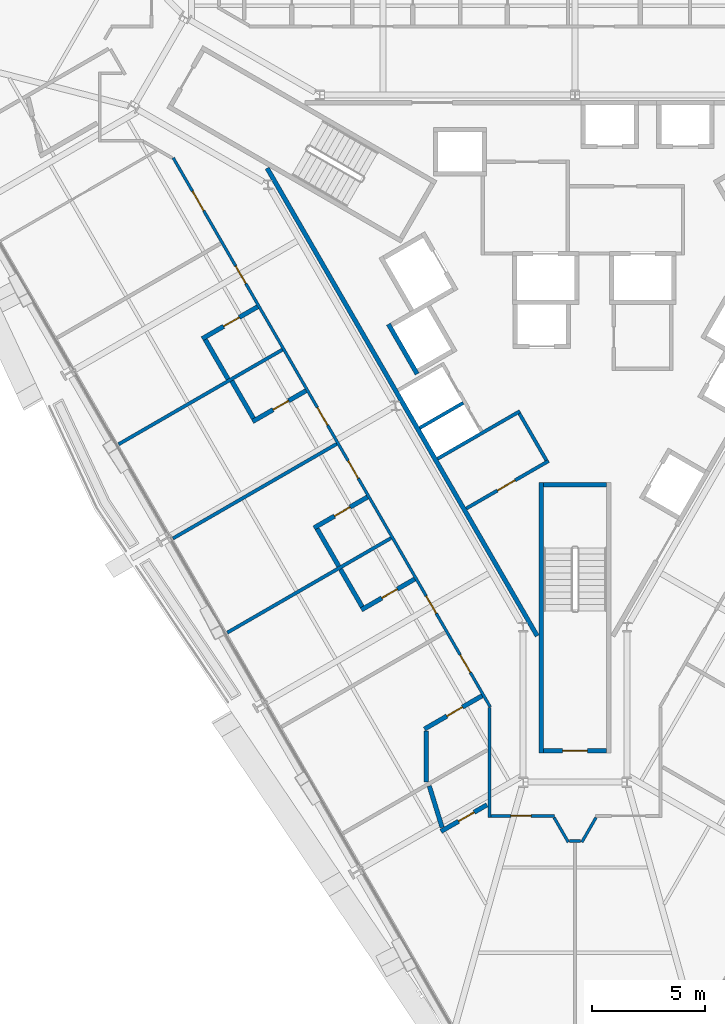
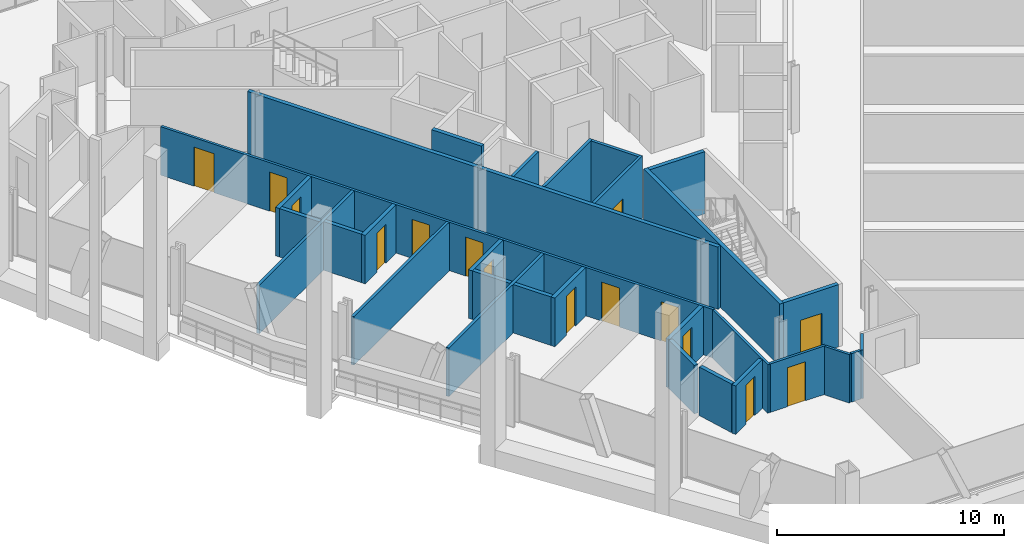
# One storey, part 11 of 18: 30 walls, 15 doors, 15 openings.
"""IFC4 building model written with IfcOpenShell, lengths in metres."""

import ifcopenshell
import ifcopenshell.guid

model = None  # the IFC model being written
_history = None  # IfcOwnerHistory: only IFC2X3 demands one
_inside = {}  # id of a spatial element -> (the spatial element, [elements in it])
_under = {}  # id of a project, library or spatial element -> (it, [spatial elements below it])
_declared = {}  # id of a project -> (the project, [libraries it declares])
_typed = {}  # id of a type object -> (the type object, [elements of that type])
_made_of = {}  # id of a material, layer set ... -> (it, [elements and type objects made of it])


def new_model(schema):
    """Start an empty IFC model of exactly this schema.

    Asked for "IFC4X3", IfcOpenShell would pick the latest addendum, in which some entities
    have other attributes; the version numbers below select the first issue.
    IFC2X3 requires an IfcOwnerHistory on every rooted entity: one is made here for all.
    """
    global model, _history
    if schema == "IFC4X3":
        model = ifcopenshell.file(schema_version=(4, 3, 0, 0))
    else:
        model = ifcopenshell.file(schema=schema)
    _inside.clear()
    _under.clear()
    _declared.clear()
    _typed.clear()
    _made_of.clear()
    _history = None
    if model.schema == "IFC2X3":
        org = make("IfcOrganization", Name="unknown")
        user = make(
            "IfcPersonAndOrganization",
            ThePerson=make("IfcPerson", FamilyName="unknown"),
            TheOrganization=org,
        )
        app = make(
            "IfcApplication",
            ApplicationDeveloper=org,
            Version="unknown",
            ApplicationFullName="unknown",
            ApplicationIdentifier="unknown",
        )
        _history = make(
            "IfcOwnerHistory",
            OwningUser=user,
            OwningApplication=app,
            ChangeAction="ADDED",
            CreationDate=0,
        )
    return model


def make(cls, **values):
    """One entity of the class cls with the attributes given. An attribute that is None is left unset."""
    return model.create_entity(
        cls, **{name: value for name, value in values.items() if value is not None}
    )


def rooted(cls, **values):
    """An entity with a GlobalId (a new one), such as an element, a storey or a relation."""
    return make(cls, GlobalId=ifcopenshell.guid.new(), OwnerHistory=_history, **values)


def si_unit(unit_type, name, prefix=None):
    """IfcSIUnit, for example si_unit("LENGTHUNIT", "METRE", prefix="MILLI")."""
    return make("IfcSIUnit", UnitType=unit_type, Prefix=prefix, Name=name)


def assignment(units):
    """IfcUnitAssignment: the units of a project."""
    return None if units is None else make("IfcUnitAssignment", Units=units)


def point(xyz):
    """IfcCartesianPoint."""
    return None if xyz is None else make("IfcCartesianPoint", Coordinates=xyz)


def direction(xyz):
    """IfcDirection."""
    return None if xyz is None else make("IfcDirection", DirectionRatios=xyz)


def frame(location, z_axis=None, x_axis=None):
    """IfcAxis2Placement3D, a coordinate frame: its origin and axes. An axis left out is left unset."""
    return make(
        "IfcAxis2Placement3D",
        Location=point(location),
        Axis=direction(z_axis),
        RefDirection=direction(x_axis),
    )


def frame_2d(location, x_axis=None):
    """IfcAxis2Placement2D, a coordinate frame in the plane: its origin and x axis."""
    return make(
        "IfcAxis2Placement2D", Location=point(location), RefDirection=direction(x_axis)
    )


def origin():
    """The frame at (0, 0, 0) with its axes left unset."""
    return frame((0.0, 0.0, 0.0))


def place(relative_to, where):
    """IfcLocalPlacement: puts the frame where relative to a parent placement (None: the world)."""
    return make(
        "IfcLocalPlacement", PlacementRelTo=relative_to, RelativePlacement=where
    )


def context(
    kind, dimensions, precision=None, world=None, true_north=None, identifier=None
):
    """IfcGeometricRepresentationContext, for example the 3D "Model" context."""
    return make(
        "IfcGeometricRepresentationContext",
        ContextIdentifier=identifier,
        ContextType=kind,
        CoordinateSpaceDimension=dimensions,
        Precision=precision,
        WorldCoordinateSystem=world,
        TrueNorth=true_north,
    )


def subcontext(parent, identifier, kind, view, scale=None):
    """IfcGeometricRepresentationSubContext, for example "Body" below "Model"."""
    return make(
        "IfcGeometricRepresentationSubContext",
        ContextIdentifier=identifier,
        ContextType=kind,
        ParentContext=parent,
        TargetScale=scale,
        TargetView=view,
    )


def project(units=None, contexts=None):
    """IfcProject with its units and contexts."""
    return rooted(
        "IfcProject",
        Name="project",
        RepresentationContexts=contexts,
        UnitsInContext=assignment(units),
    )


def spatial(cls, under=None, at=None, **own):
    """A site, building, storey or space (cls), placed at a placement, below another one or the project."""
    s = rooted(cls, ObjectPlacement=at, **own)
    if under is not None:
        _under.setdefault(under.id(), (under, []))[1].append(s)
    return s


def profile(cls, at=None, kind="AREA", **sizes):
    """A parametric profile (cls). Its sizes go by their IFC names, for example OverallWidth=200.0."""
    return make(cls, ProfileType=kind, Position=at, **sizes)


def rectangle(**sizes):
    """IfcRectangleProfileDef."""
    return profile("IfcRectangleProfileDef", **sizes)


def extrude(swept, where, along, depth):
    """IfcExtrudedAreaSolid: the profile swept, set in the frame where, extruded along a direction by depth."""
    return make(
        "IfcExtrudedAreaSolid",
        SweptArea=swept,
        Position=where,
        ExtrudedDirection=direction(along),
        Depth=depth,
    )


def shape(context_of_items, identifier, shape_type, items):
    """IfcShapeRepresentation: the items that make up one representation, for example the "Body"."""
    return make(
        "IfcShapeRepresentation",
        ContextOfItems=context_of_items,
        RepresentationIdentifier=identifier,
        RepresentationType=shape_type,
        Items=items,
    )


def material(Name=None, Category=None):
    """IfcMaterial."""
    return make("IfcMaterial", Name=Name, Category=Category)


def layer(
    of_material, thickness, ventilated=None, Name=None, Category=None, Priority=None
):
    """IfcMaterialLayer: one layer of a wall or slab, of a material (None: an air gap)."""
    return make(
        "IfcMaterialLayer",
        Material=of_material,
        LayerThickness=thickness,
        IsVentilated=ventilated,
        Name=Name,
        Category=Category,
        Priority=Priority,
    )


def layer_set(layers, Name=None):
    """IfcMaterialLayerSet."""
    return make("IfcMaterialLayerSet", MaterialLayers=layers, LayerSetName=Name)


def made_of(thing, what):
    """Note that an element or type object is made of a material, layer set ...; save() writes the relation."""
    if what is not None:
        _made_of.setdefault(what.id(), (what, []))[1].append(thing)
    return thing


def type_object(cls, material=None, **own):
    """A type object (cls), such as IfcWallType, which elements share."""
    return made_of(rooted(cls, **own), material)


def element(
    cls,
    number,
    at=None,
    inside=None,
    cuts=None,
    type_object=None,
    material=None,
    context=None,
    identifier="Body",
    shape_type=None,
    held_by="IfcProductDefinitionShape",
    body=None,
    shapes=None,
    **own,
):
    """One element of the class cls, such as IfcWall. Its Tag is "e" and its number.

    at: its placement. inside: the storey or other place that contains it. cuts: it is an
    opening in that element (IfcRelVoidsElement). A single representation is given by context,
    identifier, shape_type and body (its items); several are given by shapes. held_by: the class
    of the entity that holds the representations. save() writes the other relations.
    """
    e = rooted(cls, Tag="e%d" % number, ObjectPlacement=at, **own)
    if body is not None:
        shapes = [shape(context, identifier, shape_type, body)]
    if shapes is not None:
        e.Representation = make(held_by, Representations=shapes)
    if inside is not None:
        _inside.setdefault(inside.id(), (inside, []))[1].append(e)
    if cuts is not None:
        rooted(
            "IfcRelVoidsElement", RelatingBuildingElement=cuts, RelatedOpeningElement=e
        )
    if type_object is not None:
        _typed.setdefault(type_object.id(), (type_object, []))[1].append(e)
    return made_of(e, material)


def fill(opening, filler):
    """IfcRelFillsElement: the door or window that sits in an opening."""
    return rooted(
        "IfcRelFillsElement",
        RelatingOpeningElement=opening,
        RelatedBuildingElement=filler,
    )


def aggregate(whole, parts):
    """IfcRelAggregates: a whole, such as a stair, and the parts it consists of."""
    return rooted("IfcRelAggregates", RelatingObject=whole, RelatedObjects=parts)


def save(model, path):
    """Write the relations noted so far, then the file.

    IfcRelAggregates (storeys below a building ...), IfcRelContainedInSpatialStructure (elements
    in a storey), IfcRelDefinesByType, IfcRelAssociatesMaterial and IfcRelDeclares: one each for
    every whole, place, type object, material and project.
    """
    for whole, parts in _under.values():
        aggregate(whole, parts)
    for where, things in _inside.values():
        rooted(
            "IfcRelContainedInSpatialStructure",
            RelatedElements=things,
            RelatingStructure=where,
        )
    for kind, things in _typed.values():
        rooted("IfcRelDefinesByType", RelatedObjects=things, RelatingType=kind)
    for what, things in _made_of.values():
        rooted("IfcRelAssociatesMaterial", RelatedObjects=things, RelatingMaterial=what)
    for by, libraries in _declared.values():
        rooted("IfcRelDeclares", RelatingContext=by, RelatedDefinitions=libraries)
    model.write(path)


model = new_model("IFC4")

# Units and contexts
model_context = context("Model", 3, precision=1e-05, world=origin(), true_north=direction((0.0, 1.0)))
body_context = subcontext(model_context, "Body", "Model", "MODEL_VIEW")
ifc_project = project(units=[si_unit("LENGTHUNIT", "METRE"), si_unit("AREAUNIT", "SQUARE_METRE"), si_unit("VOLUMEUNIT", "CUBIC_METRE"), si_unit("PLANEANGLEUNIT", "RADIAN"), si_unit("MASSUNIT", "GRAM", prefix="KILO")], contexts=[model_context])

# Site, building, storey
site_placement = place(None, origin())
site = spatial("IfcSite", under=ifc_project, at=site_placement, CompositionType="ELEMENT")
building_placement = place(site_placement, origin())
building = spatial("IfcBuilding", under=site, at=building_placement, Name="Verrane Prism Tower", CompositionType="ELEMENT")
storey_placement = place(building_placement, frame((0.0, 0.0, 47.60009765625)))
storey = spatial("IfcBuildingStorey", under=building, at=storey_placement, Name="L09", CompositionType="ELEMENT", Elevation=47.60009765625)

# Wall
ifc_material_1 = material(Name="Gypsum board partition", Category="other")
ifc_layer_1 = layer(ifc_material_1, 0.199951171875)
ifc_layer_set_1 = layer_set([ifc_layer_1], Name="CW-200 core boundary wall 2 h")
wall_type_1 = type_object("IfcWallType", Name="CW-200 core boundary wall 2 h", PredefinedType="PARTITIONING", material=ifc_layer_set_1)
wall_1_placement = place(storey_placement, frame((-13.66357421875, 5.946044921875, 0.0), z_axis=(0.0, 0.0, 1.0), x_axis=(0.499994327219, -0.866028678941, 0.0)))
element("IfcWall", 1, at=wall_1_placement, inside=storey, type_object=wall_type_1, Name="Core boundary wall CW3-001", PredefinedType="PARTITIONING", context=body_context, shape_type="SweptSolid", body=[
    extrude(rectangle(XDim=23.967529296875, YDim=0.199951171875, at=frame_2d((11.98388671875, 0.0))), origin(), (0.0, 0.0, 1.0), 3.349853515625),
])

# Wall, opening, door
ifc_material_2 = material(Name="Concrete C40/50", Category="concrete")
ifc_layer_2 = layer(ifc_material_2, 0.199951171875)
ifc_layer_set_2 = layer_set([ifc_layer_2], Name="CW-200 stair core wall concrete C40/50 3 h")
wall_type_2 = type_object("IfcWallType", Name="CW-200 stair core wall concrete C40/50 3 h", PredefinedType="PARTITIONING", material=ifc_layer_set_2)
wall_2_placement = place(storey_placement, frame((-1.39990234375, -19.89990234375, 0.0), z_axis=(0.0, 0.0, 1.0), x_axis=(1.0, 0.0, 0.0)))
wall_2 = element("IfcWall", 2, at=wall_2_placement, inside=storey, type_object=wall_type_2, Name="Stair 3 enclosure wall", PredefinedType="PARTITIONING", context=body_context, shape_type="SweptSolid", body=[
    extrude(rectangle(XDim=2.7998046875, YDim=0.199951171875, at=frame_2d((1.39990234375, 0.0))), origin(), (0.0, 0.0, 1.0), 3.349853515625),
])
opening_1_placement = place(wall_2_placement, frame((0.85009765625, 0.0, 0.0)))
opening_1 = element("IfcOpeningElement", 3, at=opening_1_placement, cuts=wall_2, Name="Opening D09502", PredefinedType="OPENING", context=body_context, shape_type="SweptSolid", body=[
    extrude(rectangle(XDim=1.10009765625, YDim=2.10009765625, at=frame_2d((0.550048828125, 1.050048828125))), frame((0.0, 0.10986328125, 0.0), z_axis=(0.0, -1.0, 0.0), x_axis=(1.0, 0.0, 0.0)), (0.0, 0.0, 1.0), 0.219970703125),
])
ifc_material_3 = material(Name="Timber veneered door leaf", Category="wood")
door_type_1 = type_object("IfcDoorType", Name="DR-1100x2100 FD90 single leaf stair", OperationType="NOTDEFINED", PredefinedType="DOOR", material=ifc_material_3)
door_1_placement = place(opening_1_placement, origin())
door_1 = element("IfcDoor", 4, at=door_1_placement, inside=storey, type_object=door_type_1, Name="Stair 3 door", OperationType="SINGLE_SWING_LEFT", OverallHeight=2.10009765625, OverallWidth=1.10009765625, PredefinedType="DOOR", context=body_context, shape_type="SweptSolid", body=[
    extrude(rectangle(XDim=1.10009765625, YDim=2.10009765625, at=frame_2d((0.550048828125, 1.050048828125))), frame((0.0, 0.02490234375, 0.0), z_axis=(0.0, -1.0, 0.0), x_axis=(1.0, 0.0, 0.0)), (0.0, 0.0, 1.0), 0.050048828125),
])
fill(opening_1, door_1)

# Walls
wall_3_placement = place(storey_placement, frame((-1.5, -8.0, 0.0), z_axis=(0.0, 0.0, 1.0), x_axis=(0.0, -1.0, 0.0)))
element("IfcWall", 5, at=wall_3_placement, inside=storey, type_object=wall_type_2, Name="Stair 3 enclosure wall", PredefinedType="PARTITIONING", context=body_context, shape_type="SweptSolid", body=[
    extrude(rectangle(XDim=12.0, YDim=0.199951171875, at=frame_2d((6.0, 0.0))), origin(), (0.0, 0.0, 1.0), 3.349853515625),
])
wall_4_placement = place(storey_placement, frame((-1.39990234375, -8.10009765625, 0.0), z_axis=(0.0, 0.0, 1.0), x_axis=(1.0, 0.0, 0.0)))
element("IfcWall", 6, at=wall_4_placement, inside=storey, type_object=wall_type_2, Name="Stair 3 enclosure wall", PredefinedType="PARTITIONING", context=body_context, shape_type="SweptSolid", body=[
    extrude(rectangle(XDim=2.7998046875, YDim=0.199951171875, at=frame_2d((1.39990234375, 0.0))), origin(), (0.0, 0.0, 1.0), 3.349853515625),
])
ifc_material_4 = material(Name="Gypsum board shaft wall assembly", Category="other")
ifc_layer_3 = layer(ifc_material_4, 0.199951171875)
ifc_layer_set_3 = layer_set([ifc_layer_3], Name="HW-200 lift shaft wall 2 h")
wall_type_3 = type_object("IfcWallType", Name="HW-200 lift shaft wall 2 h", PredefinedType="PARTITIONING", material=ifc_layer_set_3)
wall_5_placement = place(storey_placement, frame((-7.00634765625, -3.184814453125, 0.0), z_axis=(0.0, 0.0, 1.0), x_axis=(-0.499990435942, 0.866030925526, 0.0)))
element("IfcWall", 7, at=wall_5_placement, inside=storey, type_object=wall_type_3, Name="Lift shaft wall", PredefinedType="PARTITIONING", context=body_context, shape_type="SweptSolid", body=[
    extrude(rectangle(XDim=2.5498046875, YDim=0.199951171875, at=frame_2d((1.27490234375, 0.0))), origin(), (0.0, 0.0, 1.0), 3.599853515625),
])

# Wall, openings, doors
ifc_material_5 = material(Name="Gypsum board partition", Category="other")
ifc_layer_4 = layer(ifc_material_5, 0.125)
ifc_layer_set_4 = layer_set([ifc_layer_4], Name="PW-125 corridor wall 1 h")
wall_type_4 = type_object("IfcWallType", Name="PW-125 corridor wall 1 h", PredefinedType="PARTITIONING", material=ifc_layer_set_4)
wall_6_placement = place(storey_placement, frame((-3.765869140625, -17.959228515625, 0.0), z_axis=(0.0, 0.0, 1.0), x_axis=(-0.500002884005, 0.866023738697, 0.0)))
wall_6 = element("IfcWall", 8, at=wall_6_placement, inside=storey, type_object=wall_type_4, Name="Corridor wall 016", PredefinedType="PARTITIONING", context=body_context, shape_type="SweptSolid", body=[
    extrude(rectangle(XDim=28.134521484375, YDim=0.125, at=frame_2d((14.0673828125, 0.0))), origin(), (0.0, 0.0, 1.0), 2.61279296875),
])
opening_2_placement = place(wall_6_placement, frame((25.422119140625, 0.0, 0.0)))
opening_2 = element("IfcOpeningElement", 9, at=opening_2_placement, cuts=wall_6, Name="Opening D09026", PredefinedType="OPENING", context=body_context, shape_type="SweptSolid", body=[
    extrude(rectangle(XDim=1.0, YDim=2.10009765625, at=frame_2d((0.5, 1.050048828125))), frame((0.0, 0.072509765625, 0.0), z_axis=(0.0, -1.0, 0.0), x_axis=(1.0, 0.0, 0.0)), (0.0, 0.0, 1.0), 0.14501953125),
])
opening_3_placement = place(wall_6_placement, frame((21.693115234375, 0.0, 0.0)))
opening_3 = element("IfcOpeningElement", 10, at=opening_3_placement, cuts=wall_6, Name="Opening D09029", PredefinedType="OPENING", context=body_context, shape_type="SweptSolid", body=[
    extrude(rectangle(XDim=0.89990234375, YDim=2.10009765625, at=frame_2d((0.449951171875, 1.050048828125))), frame((0.0, 0.072509765625, 0.0), z_axis=(0.0, -1.0, 0.0), x_axis=(1.0, 0.0, 0.0)), (0.0, 0.0, 1.0), 0.14501953125),
])
opening_4_placement = place(wall_6_placement, frame((14.438232421875, 0.0, 0.0)))
opening_4 = element("IfcOpeningElement", 11, at=opening_4_placement, cuts=wall_6, Name="Opening D09031", PredefinedType="OPENING", context=body_context, shape_type="SweptSolid", body=[
    extrude(rectangle(XDim=0.89990234375, YDim=2.10009765625, at=frame_2d((0.449951171875, 1.050048828125))), frame((0.0, 0.072509765625, 0.0), z_axis=(0.0, -1.0, 0.0), x_axis=(1.0, 0.0, 0.0)), (0.0, 0.0, 1.0), 0.14501953125),
])
opening_5_placement = place(wall_6_placement, frame((11.712158203125, 0.0, 0.0)))
opening_5 = element("IfcOpeningElement", 12, at=opening_5_placement, cuts=wall_6, Name="Opening D09033", PredefinedType="OPENING", context=body_context, shape_type="SweptSolid", body=[
    extrude(rectangle(XDim=0.89990234375, YDim=2.10009765625, at=frame_2d((0.449951171875, 1.050048828125))), frame((0.0, 0.072509765625, 0.0), z_axis=(0.0, -1.0, 0.0), x_axis=(1.0, 0.0, 0.0)), (0.0, 0.0, 1.0), 0.14501953125),
])
opening_6_placement = place(wall_6_placement, frame((4.787109375, 0.0, 0.0)))
opening_6 = element("IfcOpeningElement", 13, at=opening_6_placement, cuts=wall_6, Name="Opening D09035", PredefinedType="OPENING", context=body_context, shape_type="SweptSolid", body=[
    extrude(rectangle(XDim=0.89990234375, YDim=2.10009765625, at=frame_2d((0.449951171875, 1.050048828125))), frame((0.0, 0.072509765625, 0.0), z_axis=(0.0, -1.0, 0.0), x_axis=(1.0, 0.0, 0.0)), (0.0, 0.0, 1.0), 0.14501953125),
])
opening_7_placement = place(wall_6_placement, frame((1.76220703125, 0.0, 0.0)))
opening_7 = element("IfcOpeningElement", 14, at=opening_7_placement, cuts=wall_6, Name="Opening D09037", PredefinedType="OPENING", context=body_context, shape_type="SweptSolid", body=[
    extrude(rectangle(XDim=0.89990234375, YDim=2.10009765625, at=frame_2d((0.449951171875, 1.050048828125))), frame((0.0, 0.072509765625, 0.0), z_axis=(0.0, -1.0, 0.0), x_axis=(1.0, 0.0, 0.0)), (0.0, 0.0, 1.0), 0.14501953125),
])
ifc_material_6 = material(Name="Timber veneered door leaf", Category="wood")
door_type_2 = type_object("IfcDoorType", Name="DR-1000x2100 FD20 single leaf unit", OperationType="NOTDEFINED", PredefinedType="DOOR", material=ifc_material_6)
door_2_placement = place(opening_2_placement, origin())
door_2 = element("IfcDoor", 15, at=door_2_placement, inside=storey, type_object=door_type_2, Name="Suite Living Room door", OperationType="SINGLE_SWING_LEFT", OverallHeight=2.10009765625, OverallWidth=1.0, PredefinedType="DOOR", context=body_context, shape_type="SweptSolid", body=[
    extrude(rectangle(XDim=1.0, YDim=2.10009765625, at=frame_2d((0.5, 1.050048828125))), frame((0.0, 0.02490234375, 0.0), z_axis=(0.0, -1.0, 0.0), x_axis=(1.0, 0.0, 0.0)), (0.0, 0.0, 1.0), 0.050048828125),
])
fill(opening_2, door_2)
ifc_material_7 = material(Name="Timber veneered door leaf", Category="wood")
door_type_3 = type_object("IfcDoorType", Name="DR-900x2100 FD20 single leaf unit", OperationType="NOTDEFINED", PredefinedType="DOOR", material=ifc_material_7)
door_3_placement = place(opening_3_placement, origin())
door_3 = element("IfcDoor", 16, at=door_3_placement, inside=storey, type_object=door_type_3, Name="Guest Room door", OperationType="SINGLE_SWING_RIGHT", OverallHeight=2.10009765625, OverallWidth=0.89990234375, PredefinedType="DOOR", context=body_context, shape_type="SweptSolid", body=[
    extrude(rectangle(XDim=0.89990234375, YDim=2.10009765625, at=frame_2d((0.449951171875, 1.050048828125))), frame((0.0, 0.02490234375, 0.0), z_axis=(0.0, -1.0, 0.0), x_axis=(1.0, 0.0, 0.0)), (0.0, 0.0, 1.0), 0.050048828125),
])
fill(opening_3, door_3)
door_4_placement = place(opening_4_placement, origin())
door_4 = element("IfcDoor", 17, at=door_4_placement, inside=storey, type_object=door_type_3, Name="Guest Room door", OperationType="SINGLE_SWING_RIGHT", OverallHeight=2.10009765625, OverallWidth=0.89990234375, PredefinedType="DOOR", context=body_context, shape_type="SweptSolid", body=[
    extrude(rectangle(XDim=0.89990234375, YDim=2.10009765625, at=frame_2d((0.449951171875, 1.050048828125))), frame((0.0, 0.02490234375, 0.0), z_axis=(0.0, -1.0, 0.0), x_axis=(1.0, 0.0, 0.0)), (0.0, 0.0, 1.0), 0.050048828125),
])
fill(opening_4, door_4)
door_5_placement = place(opening_5_placement, origin())
door_5 = element("IfcDoor", 18, at=door_5_placement, inside=storey, type_object=door_type_3, Name="Guest Room door", OperationType="SINGLE_SWING_RIGHT", OverallHeight=2.10009765625, OverallWidth=0.89990234375, PredefinedType="DOOR", context=body_context, shape_type="SweptSolid", body=[
    extrude(rectangle(XDim=0.89990234375, YDim=2.10009765625, at=frame_2d((0.449951171875, 1.050048828125))), frame((0.0, 0.02490234375, 0.0), z_axis=(0.0, -1.0, 0.0), x_axis=(1.0, 0.0, 0.0)), (0.0, 0.0, 1.0), 0.050048828125),
])
fill(opening_5, door_5)
door_6_placement = place(opening_6_placement, origin())
door_6 = element("IfcDoor", 19, at=door_6_placement, inside=storey, type_object=door_type_3, Name="Guest Room door", OperationType="SINGLE_SWING_RIGHT", OverallHeight=2.10009765625, OverallWidth=0.89990234375, PredefinedType="DOOR", context=body_context, shape_type="SweptSolid", body=[
    extrude(rectangle(XDim=0.89990234375, YDim=2.10009765625, at=frame_2d((0.449951171875, 1.050048828125))), frame((0.0, 0.02490234375, 0.0), z_axis=(0.0, -1.0, 0.0), x_axis=(1.0, 0.0, 0.0)), (0.0, 0.0, 1.0), 0.050048828125),
])
fill(opening_6, door_6)
door_7_placement = place(opening_7_placement, origin())
door_7 = element("IfcDoor", 20, at=door_7_placement, inside=storey, type_object=door_type_3, Name="Guest Room door", OperationType="SINGLE_SWING_RIGHT", OverallHeight=2.10009765625, OverallWidth=0.89990234375, PredefinedType="DOOR", context=body_context, shape_type="SweptSolid", body=[
    extrude(rectangle(XDim=0.89990234375, YDim=2.10009765625, at=frame_2d((0.449951171875, 1.050048828125))), frame((0.0, 0.02490234375, 0.0), z_axis=(0.0, -1.0, 0.0), x_axis=(1.0, 0.0, 0.0)), (0.0, 0.0, 1.0), 0.050048828125),
])
fill(opening_7, door_7)

# Wall
wall_7_placement = place(storey_placement, frame((-3.797119140625, -22.859619140625, 0.0), z_axis=(0.0, 0.0, 1.0), x_axis=(0.0, 1.0, 0.0)))
element("IfcWall", 21, at=wall_7_placement, inside=storey, type_object=wall_type_4, Name="Corridor wall 046", PredefinedType="PARTITIONING", context=body_context, shape_type="SweptSolid", body=[
    extrude(rectangle(XDim=4.86962890625, YDim=0.125, at=frame_2d((2.434814453125, 0.0))), origin(), (0.0, 0.0, 1.0), 2.61279296875),
])

# Wall, opening, door
wall_8_placement = place(storey_placement, frame((-0.910400390625, -22.797119140625, 0.0), z_axis=(0.0, 0.0, 1.0), x_axis=(-1.0, 0.0, 0.0)))
wall_8 = element("IfcWall", 22, at=wall_8_placement, inside=storey, type_object=wall_type_4, Name="Corridor wall 047", PredefinedType="PARTITIONING", context=body_context, shape_type="SweptSolid", body=[
    extrude(rectangle(XDim=2.821533203125, YDim=0.125, at=frame_2d((1.41064453125, 0.0))), origin(), (0.0, 0.0, 1.0), 2.61279296875),
])
opening_8_placement = place(wall_8_placement, frame((1.03662109375, 0.0, 0.0)))
opening_8 = element("IfcOpeningElement", 23, at=opening_8_placement, cuts=wall_8, Name="Opening D09039", PredefinedType="OPENING", context=body_context, shape_type="SweptSolid", body=[
    extrude(rectangle(XDim=0.89990234375, YDim=2.10009765625, at=frame_2d((0.449951171875, 1.050048828125))), frame((0.0, 0.072509765625, 0.0), z_axis=(0.0, -1.0, 0.0), x_axis=(1.0, 0.0, 0.0)), (0.0, 0.0, 1.0), 0.14501953125),
])
door_8_placement = place(opening_8_placement, origin())
door_8 = element("IfcDoor", 24, at=door_8_placement, inside=storey, type_object=door_type_3, Name="Corner Suite door", OperationType="SINGLE_SWING_RIGHT", OverallHeight=2.10009765625, OverallWidth=0.89990234375, PredefinedType="DOOR", context=body_context, shape_type="SweptSolid", body=[
    extrude(rectangle(XDim=0.89990234375, YDim=2.10009765625, at=frame_2d((0.449951171875, 1.050048828125))), frame((0.0, 0.02490234375, 0.0), z_axis=(0.0, -1.0, 0.0), x_axis=(1.0, 0.0, 0.0)), (0.0, 0.0, 1.0), 0.050048828125),
])
fill(opening_8, door_8)

# Walls
wall_9_placement = place(storey_placement, frame((-0.930419921875, -22.87060546875, 0.0), z_axis=(0.0, 0.0, 1.0), x_axis=(0.500242104966, -0.865885579288, 0.0)))
element("IfcWall", 25, at=wall_9_placement, inside=storey, type_object=wall_type_4, Name="Corridor wall 049", PredefinedType="PARTITIONING", context=body_context, shape_type="SweptSolid", body=[
    extrude(rectangle(XDim=1.260498046875, YDim=0.125, at=frame_2d((0.63037109375, 0.0))), origin(), (0.0, 0.0, 1.0), 2.61279296875),
])
wall_10_placement = place(storey_placement, frame((-0.24609375, -23.907958984375, 0.0), z_axis=(0.0, 0.0, 1.0), x_axis=(1.0, 0.0, 0.0)))
element("IfcWall", 26, at=wall_10_placement, inside=storey, type_object=wall_type_4, Name="Corridor wall 050", PredefinedType="PARTITIONING", context=body_context, shape_type="SweptSolid", body=[
    extrude(rectangle(XDim=0.4921875, YDim=0.125, at=frame_2d((0.24609375, 0.0))), origin(), (0.0, 0.0, 1.0), 2.61279296875),
])
wall_11_placement = place(storey_placement, frame((0.2998046875, -23.962158203125, 0.0), z_axis=(0.0, 0.0, 1.0), x_axis=(0.500242104966, 0.865885579288, 0.0)))
element("IfcWall", 27, at=wall_11_placement, inside=storey, type_object=wall_type_4, Name="Corridor wall 053", PredefinedType="PARTITIONING", context=body_context, shape_type="SweptSolid", body=[
    extrude(rectangle(XDim=1.260498046875, YDim=0.125, at=frame_2d((0.63037109375, 0.0))), origin(), (0.0, 0.0, 1.0), 2.61279296875),
])
ifc_material_8 = material(Name="Gypsum board partition", Category="other")
ifc_layer_5 = layer(ifc_material_8, 0.14990234375)
ifc_layer_set_5 = layer_set([ifc_layer_5], Name="PW-150 demising wall 1 h")
wall_type_5 = type_object("IfcWallType", Name="PW-150 demising wall 1 h", PredefinedType="PARTITIONING", material=ifc_layer_set_5)
for number, where, z_axis, x_axis, name in (
    (28, (-20.25634765625, -6.3046875, 0.0), (0.0, 0.0, 1.0), (0.866037818403, 0.499978496633, 0.0), "Demising wall 012"),
    (29, (-17.843505859375, -10.48388671875, 0.0), (0.0, 0.0, 1.0), (0.866037818403, 0.499978496633, 0.0), "Demising wall 017"),
):
    element("IfcWall", number, at=place(storey_placement, frame(where, z_axis=z_axis, x_axis=x_axis)), inside=storey, type_object=wall_type_5, Name=name, PredefinedType="PARTITIONING", context=body_context, shape_type="SweptSolid", body=[
        extrude(rectangle(XDim=8.391357421875, YDim=0.14990234375, at=frame_2d((4.19580078125, 0.0))), origin(), (0.0, 0.0, 1.0), 2.61279296875),
    ])
wall_12_placement = place(storey_placement, frame((-15.4306640625, -14.6630859375, 0.0), z_axis=(0.0, 0.0, 1.0), x_axis=(0.866027553047, 0.499996277349, 0.0)))
element("IfcWall", 30, at=wall_12_placement, inside=storey, type_object=wall_type_5, Name="Demising wall 024", PredefinedType="PARTITIONING", context=body_context, shape_type="SweptSolid", body=[
    extrude(rectangle(XDim=8.38671875, YDim=0.14990234375, at=frame_2d((4.193359375, 0.0))), origin(), (0.0, 0.0, 1.0), 2.61279296875),
])
ifc_material_9 = material(Name="Gypsum board partition", Category="other")
ifc_layer_6 = layer(ifc_material_9, 0.199951171875)
ifc_layer_set_6 = layer_set([ifc_layer_6], Name="PW-200 plumbing wall")
wall_type_6 = type_object("IfcWallType", Name="PW-200 plumbing wall", PredefinedType="PARTITIONING", material=ifc_layer_set_6)
wall_13_placement = place(storey_placement, frame((-16.409912109375, -1.65869140625, 0.0), z_axis=(0.0, 0.0, 1.0), x_axis=(0.49983374806, -0.866121368112, 0.0)))
element("IfcWall", 31, at=wall_13_placement, inside=storey, type_object=wall_type_6, Name="Plumbing wall 020", PredefinedType="PARTITIONING", context=body_context, shape_type="SweptSolid", body=[
    extrude(rectangle(XDim=2.025634765625, YDim=0.199951171875, at=frame_2d((1.0126953125, 0.0))), origin(), (0.0, 0.0, 1.0), 2.61279296875),
])

# Wall, opening, door
wall_14_placement = place(storey_placement, frame((-14.093505859375, -0.205810546875, 0.0), z_axis=(0.0, 0.0, 1.0), x_axis=(-0.866033446572, -0.499986069224, 0.0)))
wall_14 = element("IfcWall", 32, at=wall_14_placement, inside=storey, type_object=wall_type_6, Name="Plumbing wall 021", PredefinedType="PARTITIONING", context=body_context, shape_type="SweptSolid", body=[
    extrude(rectangle(XDim=2.83251953125, YDim=0.199951171875, at=frame_2d((1.416259765625, 0.0))), origin(), (0.0, 0.0, 1.0), 2.61279296875),
])
opening_9_placement = place(wall_14_placement, frame((0.9326171875, 0.0, 0.0)))
opening_9 = element("IfcOpeningElement", 33, at=opening_9_placement, cuts=wall_14, Name="Opening D09030", PredefinedType="OPENING", context=body_context, shape_type="SweptSolid", body=[
    extrude(rectangle(XDim=0.800048828125, YDim=2.10009765625, at=frame_2d((0.39990234375, 1.050048828125))), frame((0.0, 0.10986328125, 0.0), z_axis=(0.0, -1.0, 0.0), x_axis=(1.0, 0.0, 0.0)), (0.0, 0.0, 1.0), 0.219970703125),
])
ifc_material_10 = material(Name="Timber veneered door leaf", Category="wood")
door_type_4 = type_object("IfcDoorType", Name="DR-800x2100 single leaf bath", OperationType="NOTDEFINED", PredefinedType="DOOR", material=ifc_material_10)
door_9_placement = place(opening_9_placement, origin())
door_9 = element("IfcDoor", 34, at=door_9_placement, inside=storey, type_object=door_type_4, Name="En-Suite door", OperationType="SINGLE_SWING_LEFT", OverallHeight=2.10009765625, OverallWidth=0.800048828125, PredefinedType="DOOR", context=body_context, shape_type="SweptSolid", body=[
    extrude(rectangle(XDim=0.800048828125, YDim=2.10009765625, at=frame_2d((0.39990234375, 1.050048828125))), frame((0.0, 0.02490234375, 0.0), z_axis=(0.0, -1.0, 0.0), x_axis=(1.0, 0.0, 0.0)), (0.0, 0.0, 1.0), 0.050048828125),
])
fill(opening_9, door_9)

# Wall
wall_15_placement = place(storey_placement, frame((-15.235595703125, -3.492919921875, 0.0), z_axis=(0.0, 0.0, 1.0), x_axis=(0.500190942922, -0.865915134767, 0.0)))
element("IfcWall", 35, at=wall_15_placement, inside=storey, type_object=wall_type_6, Name="Plumbing wall 025", PredefinedType="PARTITIONING", context=body_context, shape_type="SweptSolid", body=[
    extrude(rectangle(XDim=1.924560546875, YDim=0.199951171875, at=frame_2d((0.96240234375, 0.0))), origin(), (0.0, 0.0, 1.0), 2.61279296875),
])

# Wall, opening, door
wall_16_placement = place(storey_placement, frame((-14.3095703125, -5.2958984375, 0.0), z_axis=(0.0, 0.0, 1.0), x_axis=(0.866012976267, 0.500021524473, 0.0)))
wall_16 = element("IfcWall", 36, at=wall_16_placement, inside=storey, type_object=wall_type_6, Name="Plumbing wall 029", PredefinedType="PARTITIONING", context=body_context, shape_type="SweptSolid", body=[
    extrude(rectangle(XDim=2.732421875, YDim=0.199951171875, at=frame_2d((1.3662109375, 0.0))), origin(), (0.0, 0.0, 1.0), 2.61279296875),
])
opening_10_placement = place(wall_16_placement, frame((1.050048828125, 0.0, 0.0)))
opening_10 = element("IfcOpeningElement", 37, at=opening_10_placement, cuts=wall_16, Name="Opening D09032", PredefinedType="OPENING", context=body_context, shape_type="SweptSolid", body=[
    extrude(rectangle(XDim=0.800048828125, YDim=2.10009765625, at=frame_2d((0.39990234375, 1.050048828125))), frame((0.0, 0.10986328125, 0.0), z_axis=(0.0, -1.0, 0.0), x_axis=(1.0, 0.0, 0.0)), (0.0, 0.0, 1.0), 0.219970703125),
])
door_10_placement = place(opening_10_placement, origin())
door_10 = element("IfcDoor", 38, at=door_10_placement, inside=storey, type_object=door_type_4, Name="En-Suite door", OperationType="SINGLE_SWING_RIGHT", OverallHeight=2.10009765625, OverallWidth=0.800048828125, PredefinedType="DOOR", context=body_context, shape_type="SweptSolid", body=[
    extrude(rectangle(XDim=0.800048828125, YDim=2.10009765625, at=frame_2d((0.39990234375, 1.050048828125))), frame((0.0, 0.02490234375, 0.0), z_axis=(0.0, -1.0, 0.0), x_axis=(1.0, 0.0, 0.0)), (0.0, 0.0, 1.0), 0.050048828125),
])
fill(opening_10, door_10)

# Wall
wall_17_placement = place(storey_placement, frame((-11.447998046875, -10.053466796875, 0.0), z_axis=(0.0, 0.0, 1.0), x_axis=(0.500214044309, -0.865901789971, 0.0)))
element("IfcWall", 39, at=wall_17_placement, inside=storey, type_object=wall_type_6, Name="Plumbing wall 032", PredefinedType="PARTITIONING", context=body_context, shape_type="SweptSolid", body=[
    extrude(rectangle(XDim=1.920166015625, YDim=0.199951171875, at=frame_2d((0.9599609375, 0.0))), origin(), (0.0, 0.0, 1.0), 2.61279296875),
])

# Wall, opening, door
wall_18_placement = place(storey_placement, frame((-9.217529296875, -8.650634765625, 0.0), z_axis=(0.0, 0.0, 1.0), x_axis=(-0.866063622699, -0.499933797055, 0.0)))
wall_18 = element("IfcWall", 40, at=wall_18_placement, inside=storey, type_object=wall_type_6, Name="Plumbing wall 033", PredefinedType="PARTITIONING", context=body_context, shape_type="SweptSolid", body=[
    extrude(rectangle(XDim=2.733154296875, YDim=0.199951171875, at=frame_2d((1.36669921875, 0.0))), origin(), (0.0, 0.0, 1.0), 2.61279296875),
])
opening_11_placement = place(wall_18_placement, frame((0.883056640625, 0.0, 0.0)))
opening_11 = element("IfcOpeningElement", 41, at=opening_11_placement, cuts=wall_18, Name="Opening D09034", PredefinedType="OPENING", context=body_context, shape_type="SweptSolid", body=[
    extrude(rectangle(XDim=0.800048828125, YDim=2.10009765625, at=frame_2d((0.39990234375, 1.050048828125))), frame((0.0, 0.10986328125, 0.0), z_axis=(0.0, -1.0, 0.0), x_axis=(1.0, 0.0, 0.0)), (0.0, 0.0, 1.0), 0.219970703125),
])
door_11_placement = place(opening_11_placement, origin())
door_11 = element("IfcDoor", 42, at=door_11_placement, inside=storey, type_object=door_type_4, Name="En-Suite door", OperationType="SINGLE_SWING_LEFT", OverallHeight=2.10009765625, OverallWidth=0.800048828125, PredefinedType="DOOR", context=body_context, shape_type="SweptSolid", body=[
    extrude(rectangle(XDim=0.800048828125, YDim=2.10009765625, at=frame_2d((0.39990234375, 1.050048828125))), frame((0.0, 0.02490234375, 0.0), z_axis=(0.0, -1.0, 0.0), x_axis=(1.0, 0.0, 0.0)), (0.0, 0.0, 1.0), 0.050048828125),
])
fill(opening_11, door_11)

# Wall
wall_19_placement = place(storey_placement, frame((-10.407470703125, -11.85498046875, 0.0), z_axis=(0.0, 0.0, 1.0), x_axis=(0.499887618105, -0.86609027778, 0.0)))
element("IfcWall", 43, at=wall_19_placement, inside=storey, type_object=wall_type_6, Name="Plumbing wall 034", PredefinedType="PARTITIONING", context=body_context, shape_type="SweptSolid", body=[
    extrude(rectangle(XDim=1.91943359375, YDim=0.199951171875, at=frame_2d((0.959716796875, 0.0))), origin(), (0.0, 0.0, 1.0), 2.61279296875),
])

# Wall, opening, door
wall_20_placement = place(storey_placement, frame((-9.484619140625, -13.654052734375, 0.0), z_axis=(0.0, 0.0, 1.0), x_axis=(0.866102295869, 0.499866795347, 0.0)))
wall_20 = element("IfcWall", 44, at=wall_20_placement, inside=storey, type_object=wall_type_6, Name="Plumbing wall 037", PredefinedType="PARTITIONING", context=body_context, shape_type="SweptSolid", body=[
    extrude(rectangle(XDim=2.733154296875, YDim=0.199951171875, at=frame_2d((1.36669921875, 0.0))), origin(), (0.0, 0.0, 1.0), 2.61279296875),
])
opening_12_placement = place(wall_20_placement, frame((1.050048828125, 0.0, 0.0)))
opening_12 = element("IfcOpeningElement", 45, at=opening_12_placement, cuts=wall_20, Name="Opening D09036", PredefinedType="OPENING", context=body_context, shape_type="SweptSolid", body=[
    extrude(rectangle(XDim=0.800048828125, YDim=2.10009765625, at=frame_2d((0.39990234375, 1.050048828125))), frame((0.0, 0.10986328125, 0.0), z_axis=(0.0, -1.0, 0.0), x_axis=(1.0, 0.0, 0.0)), (0.0, 0.0, 1.0), 0.219970703125),
])
door_12_placement = place(opening_12_placement, origin())
door_12 = element("IfcDoor", 46, at=door_12_placement, inside=storey, type_object=door_type_4, Name="En-Suite door", OperationType="SINGLE_SWING_RIGHT", OverallHeight=2.10009765625, OverallWidth=0.800048828125, PredefinedType="DOOR", context=body_context, shape_type="SweptSolid", body=[
    extrude(rectangle(XDim=0.800048828125, YDim=2.10009765625, at=frame_2d((0.39990234375, 1.050048828125))), frame((0.0, 0.02490234375, 0.0), z_axis=(0.0, -1.0, 0.0), x_axis=(1.0, 0.0, 0.0)), (0.0, 0.0, 1.0), 0.050048828125),
])
fill(opening_12, door_12)

# Wall
wall_21_placement = place(storey_placement, frame((-6.596923828125, -21.28955078125, 0.0), z_axis=(0.0, 0.0, 1.0), x_axis=(0.0, 1.0, 0.0)))
element("IfcWall", 47, at=wall_21_placement, inside=storey, type_object=wall_type_6, Name="Plumbing wall 040", PredefinedType="PARTITIONING", context=body_context, shape_type="SweptSolid", body=[
    extrude(rectangle(XDim=2.261474609375, YDim=0.199951171875, at=frame_2d((1.130859375, 0.0))), origin(), (0.0, 0.0, 1.0), 2.61279296875),
])

# Wall, opening, door
wall_22_placement = place(storey_placement, frame((-4.123046875, -17.46533203125, 0.0), z_axis=(0.0, 0.0, 1.0), x_axis=(-0.866141586746, -0.499798711192, 0.0)))
wall_22 = element("IfcWall", 48, at=wall_22_placement, inside=storey, type_object=wall_type_6, Name="Plumbing wall 041", PredefinedType="PARTITIONING", context=body_context, shape_type="SweptSolid", body=[
    extrude(rectangle(XDim=2.956298828125, YDim=0.199951171875, at=frame_2d((1.47802734375, 0.0))), origin(), (0.0, 0.0, 1.0), 2.61279296875),
])
opening_13_placement = place(wall_22_placement, frame((1.00634765625, 0.0, 0.0)))
opening_13 = element("IfcOpeningElement", 49, at=opening_13_placement, cuts=wall_22, Name="Opening D09038", PredefinedType="OPENING", context=body_context, shape_type="SweptSolid", body=[
    extrude(rectangle(XDim=0.800048828125, YDim=2.10009765625, at=frame_2d((0.39990234375, 1.050048828125))), frame((0.0, 0.10986328125, 0.0), z_axis=(0.0, -1.0, 0.0), x_axis=(1.0, 0.0, 0.0)), (0.0, 0.0, 1.0), 0.219970703125),
])
door_13_placement = place(opening_13_placement, origin())
door_13 = element("IfcDoor", 50, at=door_13_placement, inside=storey, type_object=door_type_4, Name="En-Suite door", OperationType="SINGLE_SWING_LEFT", OverallHeight=2.10009765625, OverallWidth=0.800048828125, PredefinedType="DOOR", context=body_context, shape_type="SweptSolid", body=[
    extrude(rectangle(XDim=0.800048828125, YDim=2.10009765625, at=frame_2d((0.39990234375, 1.050048828125))), frame((0.0, 0.02490234375, 0.0), z_axis=(0.0, -1.0, 0.0), x_axis=(1.0, 0.0, 0.0)), (0.0, 0.0, 1.0), 0.050048828125),
])
fill(opening_13, door_13)

# Wall
wall_23_placement = place(storey_placement, frame((-6.467529296875, -21.47119140625, 0.0), z_axis=(0.0, 0.0, 1.0), x_axis=(0.295232763086, -0.955425358466, 0.0)))
element("IfcWall", 51, at=wall_23_placement, inside=storey, type_object=wall_type_6, Name="Plumbing wall 042", PredefinedType="PARTITIONING", context=body_context, shape_type="SweptSolid", body=[
    extrude(rectangle(XDim=1.92919921875, YDim=0.199951171875, at=frame_2d((0.964599609375, 0.0))), origin(), (0.0, 0.0, 1.0), 2.61279296875),
])

# Wall, opening, door
wall_24_placement = place(storey_placement, frame((-5.947509765625, -23.484130859375, 0.0), z_axis=(0.0, 0.0, 1.0), x_axis=(0.865922980112, 0.500177361057, 0.0)))
wall_24 = element("IfcWall", 52, at=wall_24_placement, inside=storey, type_object=wall_type_6, Name="Plumbing wall 043", PredefinedType="PARTITIONING", context=body_context, shape_type="SweptSolid", body=[
    extrude(rectangle(XDim=2.353759765625, YDim=0.199951171875, at=frame_2d((1.1767578125, 0.0))), origin(), (0.0, 0.0, 1.0), 2.61279296875),
])
opening_14_placement = place(wall_24_placement, frame((0.89990234375, 0.0, 0.0)))
opening_14 = element("IfcOpeningElement", 53, at=opening_14_placement, cuts=wall_24, Name="Opening D09040", PredefinedType="OPENING", context=body_context, shape_type="SweptSolid", body=[
    extrude(rectangle(XDim=0.800048828125, YDim=2.10009765625, at=frame_2d((0.39990234375, 1.050048828125))), frame((0.0, 0.10986328125, 0.0), z_axis=(0.0, -1.0, 0.0), x_axis=(1.0, 0.0, 0.0)), (0.0, 0.0, 1.0), 0.219970703125),
])
door_14_placement = place(opening_14_placement, origin())
door_14 = element("IfcDoor", 54, at=door_14_placement, inside=storey, type_object=door_type_4, Name="En-Suite door", OperationType="SINGLE_SWING_RIGHT", OverallHeight=2.10009765625, OverallWidth=0.800048828125, PredefinedType="DOOR", context=body_context, shape_type="SweptSolid", body=[
    extrude(rectangle(XDim=0.800048828125, YDim=2.10009765625, at=frame_2d((0.39990234375, 1.050048828125))), frame((0.0, 0.02490234375, 0.0), z_axis=(0.0, -1.0, 0.0), x_axis=(1.0, 0.0, 0.0)), (0.0, 0.0, 1.0), 0.050048828125),
])
fill(opening_14, door_14)

# Walls
ifc_material_11 = material(Name="Gypsum board partition", Category="other")
ifc_layer_7 = layer(ifc_material_11, 0.14990234375)
ifc_layer_set_7 = layer_set([ifc_layer_7], Name="RS-150 riser enclosure wall 1 h")
wall_type_7 = type_object("IfcWallType", Name="RS-150 riser enclosure wall 1 h", PredefinedType="PARTITIONING", material=ifc_layer_set_7)
wall_25_placement = place(storey_placement, frame((-6.892333984375, -5.58203125, 0.0), z_axis=(0.0, 0.0, 1.0), x_axis=(0.865944298464, 0.500140452231, 0.0)))
element("IfcWall", 55, at=wall_25_placement, inside=storey, type_object=wall_type_7, Name="Riser wall RS3-002", PredefinedType="PARTITIONING", context=body_context, shape_type="SweptSolid", body=[
    extrude(rectangle(XDim=2.224365234375, YDim=0.14990234375, at=frame_2d((1.1123046875, 0.0))), origin(), (0.0, 0.0, 1.0), 3.349853515625),
])
wall_26_placement = place(storey_placement, frame((-6.10009765625, -6.945556640625, 0.0), z_axis=(0.0, 0.0, 1.0), x_axis=(0.866038200431, 0.499977834903, 0.0)))
element("IfcWall", 56, at=wall_26_placement, inside=storey, type_object=wall_type_7, Name="Riser wall RS3-003", PredefinedType="PARTITIONING", context=body_context, shape_type="SweptSolid", body=[
    extrude(rectangle(XDim=4.220458984375, YDim=0.14990234375, at=frame_2d((2.1103515625, 0.0))), origin(), (0.0, 0.0, 1.0), 3.349853515625),
])

# Wall, opening, door
wall_27_placement = place(storey_placement, frame((-4.824951171875, -9.153564453125, 0.0), z_axis=(0.0, 0.0, 1.0), x_axis=(0.866023738697, 0.500002884005, 0.0)))
wall_27 = element("IfcWall", 57, at=wall_27_placement, inside=storey, type_object=wall_type_7, Name="Riser wall RS3-005", PredefinedType="PARTITIONING", context=body_context, shape_type="SweptSolid", body=[
    extrude(rectangle(XDim=4.22021484375, YDim=0.14990234375, at=frame_2d((2.110107421875, 0.0))), origin(), (0.0, 0.0, 1.0), 3.349853515625),
])
opening_15_placement = place(wall_27_placement, frame((1.594970703125, 0.0, 0.0)))
opening_15 = element("IfcOpeningElement", 58, at=opening_15_placement, cuts=wall_27, Name="Opening D09514", PredefinedType="OPENING", context=body_context, shape_type="SweptSolid", body=[
    extrude(rectangle(XDim=0.89990234375, YDim=2.10009765625, at=frame_2d((0.449951171875, 1.050048828125))), frame((0.0, 0.0849609375, 0.0), z_axis=(0.0, -1.0, 0.0), x_axis=(1.0, 0.0, 0.0)), (0.0, 0.0, 1.0), 0.169921875),
])
ifc_material_12 = material(Name="Timber veneered door leaf", Category="wood")
door_type_5 = type_object("IfcDoorType", Name="DR-900x2100 FD20 single leaf store", OperationType="NOTDEFINED", PredefinedType="DOOR", material=ifc_material_12)
door_15_placement = place(opening_15_placement, origin())
door_15 = element("IfcDoor", 59, at=door_15_placement, inside=storey, type_object=door_type_5, Name="Room door D09514", OperationType="SINGLE_SWING_LEFT", OverallHeight=2.10009765625, OverallWidth=0.89990234375, PredefinedType="DOOR", context=body_context, shape_type="SweptSolid", body=[
    extrude(rectangle(XDim=0.89990234375, YDim=2.10009765625, at=frame_2d((0.449951171875, 1.050048828125))), frame((0.0, 0.02490234375, 0.0), z_axis=(0.0, -1.0, 0.0), x_axis=(1.0, 0.0, 0.0)), (0.0, 0.0, 1.0), 0.050048828125),
])
fill(opening_15, door_15)

# Wall
wall_28_placement = place(storey_placement, frame((-2.472412109375, -4.93798828125, 0.0), z_axis=(0.0, 0.0, 1.0), x_axis=(0.500045362686, -0.865999212041, 0.0)))
element("IfcWall", 60, at=wall_28_placement, inside=storey, type_object=wall_type_7, Name="Riser wall RS3-006", PredefinedType="PARTITIONING", context=body_context, shape_type="SweptSolid", body=[
    extrude(rectangle(XDim=2.399658203125, YDim=0.14990234375, at=frame_2d((1.19970703125, 0.0))), origin(), (0.0, 0.0, 1.0), 3.349853515625),
])

save(model, "model.ifc")
